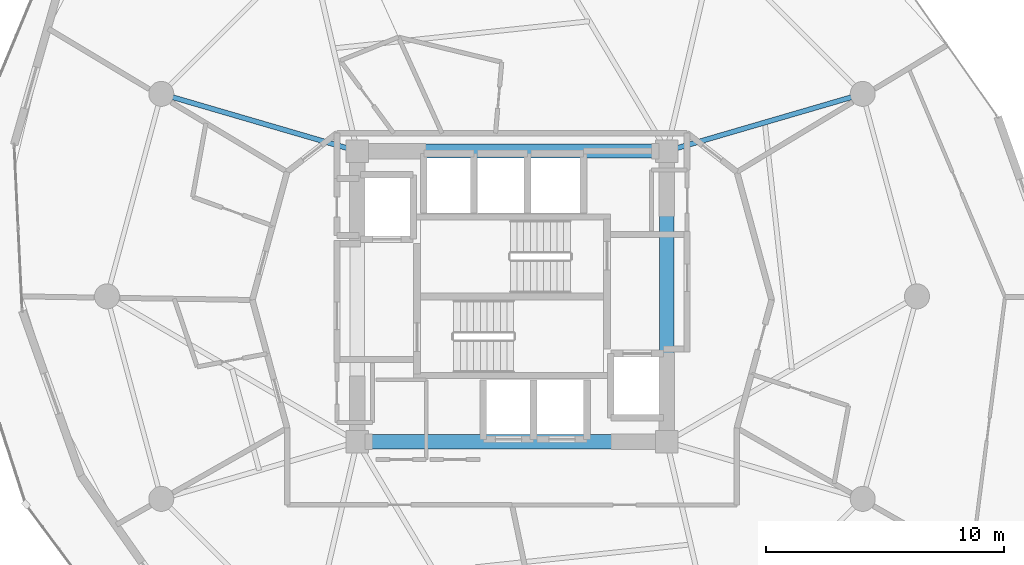
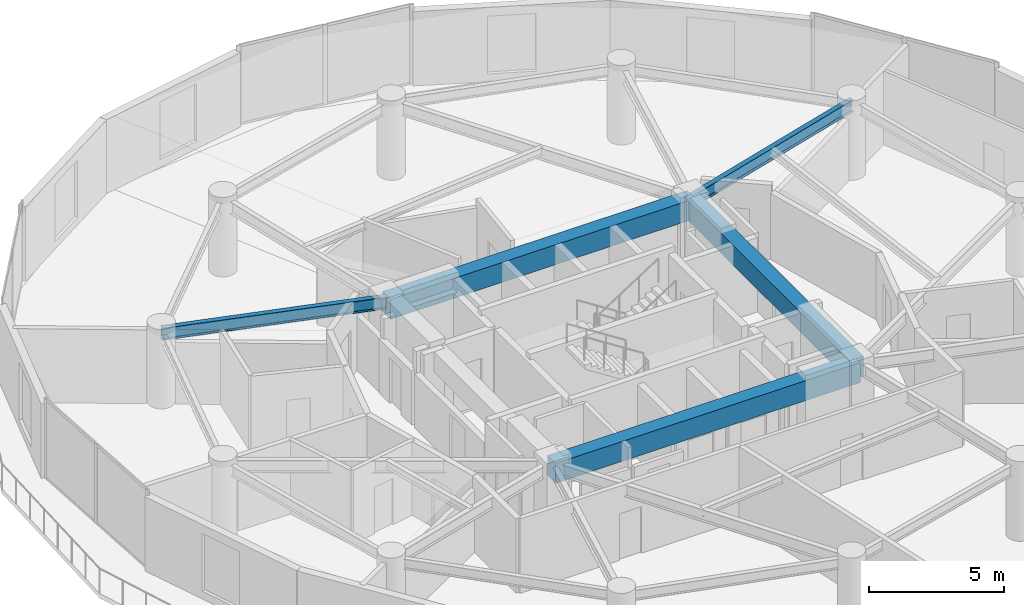
# One storey, part 7 of 22: 5 beams.
"""IFC4 building model written with IfcOpenShell, lengths in metres."""

from ifc_helpers import new_model, si_unit, direction, frame, origin, origin_2d, place, context, subcontext, project, spatial, rectangle, i_section, extrude, material, material_profile, profile_set, type_object, element, save


model = new_model("IFC4")

# Units and contexts
model_context = context("Model", 3, precision=1e-05, world=origin(), true_north=direction((0.0, 1.0)))
body_context = subcontext(model_context, "Body", "Model", "MODEL_VIEW")
ifc_project = project(units=[si_unit("LENGTHUNIT", "METRE"), si_unit("AREAUNIT", "SQUARE_METRE"), si_unit("VOLUMEUNIT", "CUBIC_METRE"), si_unit("PLANEANGLEUNIT", "RADIAN"), si_unit("MASSUNIT", "GRAM", prefix="KILO")], contexts=[model_context])

# Site, building, storey
site_placement = place(None, origin())
site = spatial("IfcSite", under=ifc_project, at=site_placement, CompositionType="ELEMENT")
building_placement = place(site_placement, origin())
building = spatial("IfcBuilding", under=site, at=building_placement, Name="Solvirekh Grand Hotel", CompositionType="ELEMENT")
storey_placement = place(building_placement, frame((0.0, 0.0, 153.0)))
storey = spatial("IfcBuildingStorey", under=building, at=storey_placement, Name="L39", CompositionType="ELEMENT", Elevation=153.0)

# Beams
ifc_material_1 = material(Name="Concrete C50/60", Category="concrete")
ifc_material_profile_1 = material_profile(ifc_material_1, rectangle(XDim=0.60009765625, YDim=0.89990234375, at=origin_2d()), Name="RC BEAM 600X900")
ifc_profile_set_1 = profile_set([ifc_material_profile_1], Name="Concrete C50/60")
beam_type_1 = type_object("IfcBeamType", Name="Beam_Core_RC900", PredefinedType="BEAM", material=ifc_profile_set_1)
beam_1_placement = place(storey_placement, frame((-6.5, -6.10009765625, 2.89990234375), z_axis=(1.0, 0.0, 0.0), x_axis=(0.0, 1.0, 0.0)))
element("IfcBeam", 1, at=beam_1_placement, inside=storey, type_object=beam_type_1, Name="L39 core coupling ring beam 1", PredefinedType="BEAM", context=body_context, shape_type="SweptSolid", body=[
    extrude(rectangle(XDim=0.60009765625, YDim=0.89990234375, at=origin_2d()), origin(), (0.0, 0.0, 1.0), 13.0),
])
beam_2_placement = place(storey_placement, frame((6.5, -6.10009765625, 2.89990234375), z_axis=(0.0, 1.0, 0.0), x_axis=(-1.0, 0.0, 0.0)))
element("IfcBeam", 2, at=beam_2_placement, inside=storey, type_object=beam_type_1, Name="L39 core coupling ring beam 2", PredefinedType="BEAM", context=body_context, shape_type="SweptSolid", body=[
    extrude(rectangle(XDim=0.60009765625, YDim=0.89990234375, at=origin_2d()), origin(), (0.0, 0.0, 1.0), 12.2001953125),
])
beam_3_placement = place(storey_placement, frame((6.5, 6.10009765625, 2.89990234375), z_axis=(-1.0, 0.0, 0.0), x_axis=(0.0, -1.0, 0.0)))
element("IfcBeam", 3, at=beam_3_placement, inside=storey, type_object=beam_type_1, Name="L39 core coupling ring beam 3", PredefinedType="BEAM", context=body_context, shape_type="SweptSolid", body=[
    extrude(rectangle(XDim=0.60009765625, YDim=0.89990234375, at=origin_2d()), origin(), (0.0, 0.0, 1.0), 13.0),
])
ifc_material_2 = material(Name="Steel S355", Category="steel")
ifc_material_profile_2 = material_profile(ifc_material_2, i_section(OverallWidth=0.2119140625, OverallDepth=0.5439453125, WebThickness=0.011962890625, FlangeThickness=0.01904296875, FilletRadius=0.013916015625, at=origin_2d()), Name="W530X123")
ifc_profile_set_2 = profile_set([ifc_material_profile_2], Name="Steel S355")
beam_type_2 = type_object("IfcBeamType", Name="Beam_Radial_W530H", PredefinedType="BEAM", material=ifc_profile_set_2)
for number, where, z_axis, x_axis, name in (
    (4, (6.5, 6.10009765625, 3.077880859375), (0.959942195467, 0.28019811092, 0.0), (-0.28019811092, 0.959942195467, 0.0), "L39 radial floor beam R02"),
    (5, (-6.5, 6.10009765625, 3.077880859375), (-0.959942195467, 0.28019811092, 0.0), (-0.28019811092, -0.959942195467, 0.0), "L39 radial floor beam R06"),
):
    element("IfcBeam", number, at=place(storey_placement, frame(where, z_axis=z_axis, x_axis=x_axis)), inside=storey, type_object=beam_type_2, Name=name, PredefinedType="BEAM", context=body_context, shape_type="SweptSolid", body=[
        extrude(i_section(OverallWidth=0.2119140625, OverallDepth=0.5439453125, WebThickness=0.011962890625, FlangeThickness=0.01904296875, FilletRadius=0.013916015625, at=origin_2d()), origin(), (0.0, 0.0, 1.0), 8.56494140625),
    ])

save(model, "model.ifc")
